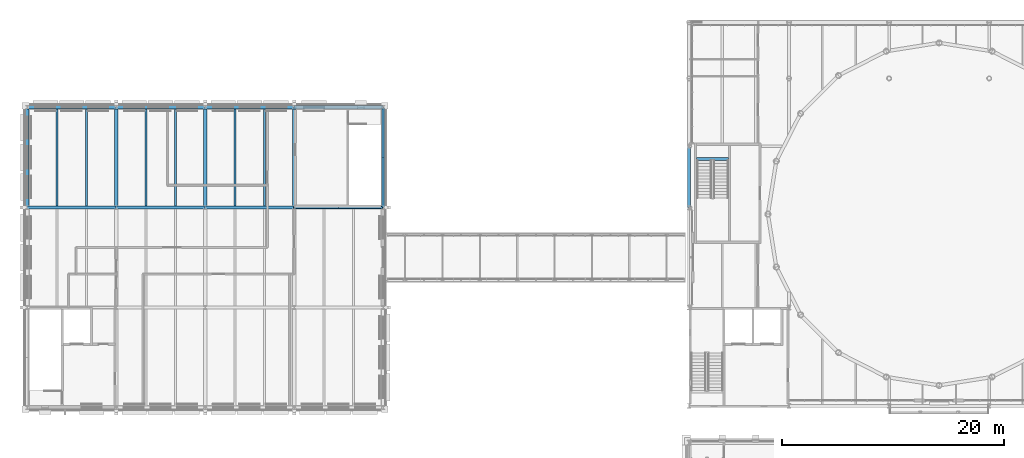
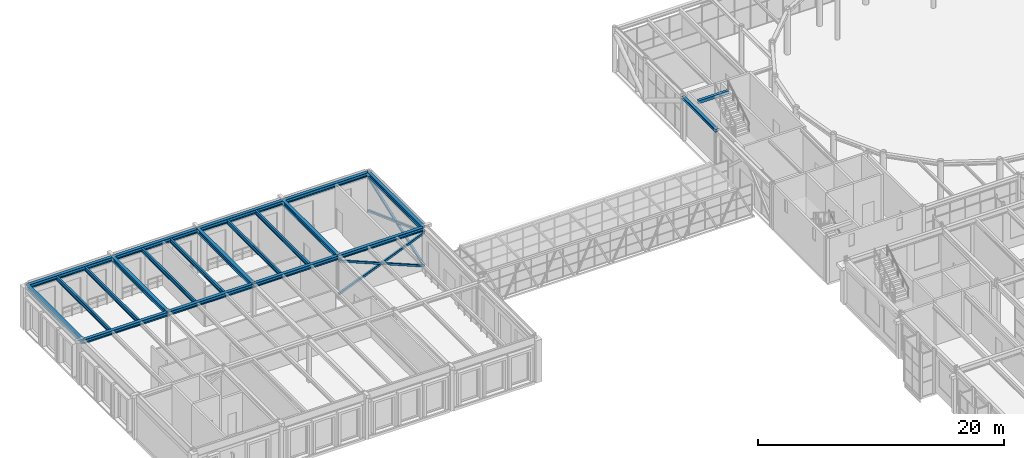
# One storey, part 40 of 149: 21 beams, 4 members.
"""IFC4 building model written with IfcOpenShell, lengths in metres."""

from ifc_helpers import new_model, si_unit, direction, frame, origin, origin_2d, place, context, subcontext, project, spatial, rectangle, hollow_rectangle, i_section, extrude, material, material_profile, profile_set, type_object, element, save


model = new_model("IFC4")

# Units and contexts
model_context = context("Model", 3, precision=1e-05, world=origin(), true_north=direction((0.0, 1.0)))
body_context = subcontext(model_context, "Body", "Model", "MODEL_VIEW")
ifc_project = project(units=[si_unit("LENGTHUNIT", "METRE"), si_unit("AREAUNIT", "SQUARE_METRE"), si_unit("VOLUMEUNIT", "CUBIC_METRE"), si_unit("PLANEANGLEUNIT", "RADIAN"), si_unit("MASSUNIT", "GRAM", prefix="KILO")], contexts=[model_context])

# Site, building, storey
site_placement = place(None, origin())
site = spatial("IfcSite", under=ifc_project, at=site_placement, CompositionType="ELEMENT")
building_placement = place(site_placement, origin())
building = spatial("IfcBuilding", under=site, at=building_placement, Name="Kallimachos Central Library", CompositionType="ELEMENT")
storey_placement = place(building_placement, frame((0.0, 0.0, 9.89990234375)))
storey = spatial("IfcBuildingStorey", under=building, at=storey_placement, Name="L02", CompositionType="ELEMENT", Elevation=9.89990234375)

# Beams
ifc_material_1 = material(Name="Steel S355J2", Category="steel")
ifc_material_profile_1 = material_profile(ifc_material_1, i_section(OverallWidth=0.280029296875, OverallDepth=0.27001953125, WebThickness=0.008056640625, FlangeThickness=0.012939453125, FilletRadius=0.02392578125, at=origin_2d()), Name="HEA 280")
ifc_profile_set_1 = profile_set([ifc_material_profile_1], Name="Steel S355J2")
beam_type_1 = type_object("IfcBeamType", Name="HEA 280 beam", PredefinedType="BEAM", material=ifc_profile_set_1)
beam_1_placement = place(storey_placement, frame((65.5, 105.0, 4.215087890625), z_axis=(0.0, 1.0, 0.0), x_axis=(-1.0, 0.0, 0.0)))
element("IfcBeam", 1, at=beam_1_placement, inside=storey, type_object=beam_type_1, Name="V1-BEM-L02-022", PredefinedType="BEAM", context=body_context, shape_type="SweptSolid", body=[
    extrude(i_section(OverallWidth=0.280029296875, OverallDepth=0.27001953125, WebThickness=0.008056640625, FlangeThickness=0.012939453125, FilletRadius=0.02392578125, at=origin_2d()), origin(), (0.0, 0.0, 1.0), 5.5),
])
ifc_material_2 = material(Name="Steel S355J2", Category="steel")
ifc_material_profile_2 = material_profile(ifc_material_2, i_section(OverallWidth=0.300048828125, OverallDepth=0.389892578125, WebThickness=0.010986328125, FlangeThickness=0.01904296875, FilletRadius=0.027099609375, at=origin_2d()), Name="HEA 400")
ifc_profile_set_2 = profile_set([ifc_material_profile_2], Name="Steel S355J2")
beam_type_2 = type_object("IfcBeamType", Name="HEA 400 beam", PredefinedType="BEAM", material=ifc_profile_set_2)
for number, where, z_axis, x_axis, name in (
    (2, (6.0, 105.0, 4.155029296875), (1.0, 0.0, 0.0), (0.0, 1.0, 0.0), "V2-BEM-L02-024"),
    (3, (14.0, 105.0, 4.155029296875), (1.0, 0.0, 0.0), (0.0, 1.0, 0.0), "V2-BEM-L02-025"),
    (4, (22.0, 105.0, 4.155029296875), (1.0, 0.0, 0.0), (0.0, 1.0, 0.0), "V2-BEM-L02-026"),
    (5, (30.0, 105.0, 4.155029296875), (1.0, 0.0, 0.0), (0.0, 1.0, 0.0), "V2-BEM-L02-027"),
    (6, (6.0, 114.0, 4.155029296875), (1.0, 0.0, 0.0), (0.0, 1.0, 0.0), "V2-BEM-L02-028"),
    (7, (14.0, 114.0, 4.155029296875), (1.0, 0.0, 0.0), (0.0, 1.0, 0.0), "V2-BEM-L02-029"),
    (8, (22.0, 114.0, 4.155029296875), (1.0, 0.0, 0.0), (0.0, 1.0, 0.0), "V2-BEM-L02-030"),
    (9, (30.0, 114.0, 4.155029296875), (1.0, 0.0, 0.0), (0.0, 1.0, 0.0), "V2-BEM-L02-031"),
):
    element("IfcBeam", number, at=place(storey_placement, frame(where, z_axis=z_axis, x_axis=x_axis)), inside=storey, type_object=beam_type_2, Name=name, PredefinedType="BEAM", context=body_context, shape_type="SweptSolid", body=[
        extrude(i_section(OverallWidth=0.300048828125, OverallDepth=0.389892578125, WebThickness=0.010986328125, FlangeThickness=0.01904296875, FilletRadius=0.027099609375, at=origin_2d()), origin(), (0.0, 0.0, 1.0), 8.0),
    ])
ifc_material_3 = material(Name="Steel S355J2", Category="steel")
ifc_material_profile_3 = material_profile(ifc_material_3, i_section(OverallWidth=0.300048828125, OverallDepth=0.43994140625, WebThickness=0.011474609375, FlangeThickness=0.02099609375, FilletRadius=0.027099609375, at=origin_2d()), Name="HEA 450")
ifc_profile_set_3 = profile_set([ifc_material_profile_3], Name="Steel S355J2")
beam_type_3 = type_object("IfcBeamType", Name="HEA 450 beam", PredefinedType="BEAM", material=ifc_profile_set_3)
for number, where, z_axis, x_axis, name in (
    (10, (6.0, 105.0, 4.130126953125), (0.0, 1.0, 0.0), (-1.0, 0.0, 0.0), "V2-BEM-L02-003"),
    (11, (14.0, 105.0, 4.130126953125), (0.0, 1.0, 0.0), (-1.0, 0.0, 0.0), "V2-BEM-L02-006"),
    (12, (22.0, 105.0, 4.130126953125), (0.0, 1.0, 0.0), (-1.0, 0.0, 0.0), "V2-BEM-L02-009"),
    (13, (30.0, 105.0, 4.130126953125), (0.0, 1.0, 0.0), (-1.0, 0.0, 0.0), "V2-BEM-L02-012"),
    (14, (38.0, 105.0, 4.130126953125), (0.0, 1.0, 0.0), (-1.0, 0.0, 0.0), "V2-BEM-L02-015"),
):
    element("IfcBeam", number, at=place(storey_placement, frame(where, z_axis=z_axis, x_axis=x_axis)), inside=storey, type_object=beam_type_3, Name=name, PredefinedType="BEAM", context=body_context, shape_type="SweptSolid", body=[
        extrude(i_section(OverallWidth=0.300048828125, OverallDepth=0.43994140625, WebThickness=0.011474609375, FlangeThickness=0.02099609375, FilletRadius=0.027099609375, at=origin_2d()), origin(), (0.0, 0.0, 1.0), 9.0),
    ])
ifc_material_4 = material(Name="Steel S355J2", Category="steel")
ifc_material_profile_4 = material_profile(ifc_material_4, i_section(OverallWidth=0.179931640625, OverallDepth=0.39990234375, WebThickness=0.008544921875, FlangeThickness=0.013427734375, FilletRadius=0.02099609375, at=origin_2d()), Name="IPE 400")
ifc_profile_set_4 = profile_set([ifc_material_profile_4], Name="Steel S355J2")
beam_type_4 = type_object("IfcBeamType", Name="IPE 400 beam", PredefinedType="BEAM", material=ifc_profile_set_4)
for number, where, z_axis, x_axis, name in (
    (15, (8.666748046875, 105.14990234375, 4.150146484375), (0.0, 1.0, 0.0), (-1.0, 0.0, 0.0), "V2-BEM-L02-034"),
    (16, (11.333251953125, 105.14990234375, 4.150146484375), (0.0, 1.0, 0.0), (-1.0, 0.0, 0.0), "V2-BEM-L02-035"),
    (17, (16.666748046875, 105.14990234375, 4.150146484375), (0.0, 1.0, 0.0), (-1.0, 0.0, 0.0), "V2-BEM-L02-040"),
    (18, (19.333251953125, 105.14990234375, 4.150146484375), (0.0, 1.0, 0.0), (-1.0, 0.0, 0.0), "V2-BEM-L02-041"),
    (19, (24.666748046875, 105.14990234375, 4.150146484375), (0.0, 1.0, 0.0), (-1.0, 0.0, 0.0), "V2-BEM-L02-046"),
    (20, (27.333251953125, 105.14990234375, 4.150146484375), (0.0, 1.0, 0.0), (-1.0, 0.0, 0.0), "V2-BEM-L02-047"),
):
    element("IfcBeam", number, at=place(storey_placement, frame(where, z_axis=z_axis, x_axis=x_axis)), inside=storey, type_object=beam_type_4, Name=name, PredefinedType="BEAM", context=body_context, shape_type="SweptSolid", body=[
        extrude(i_section(OverallWidth=0.179931640625, OverallDepth=0.39990234375, WebThickness=0.008544921875, FlangeThickness=0.013427734375, FilletRadius=0.02099609375, at=origin_2d()), origin(), (0.0, 0.0, 1.0), 8.7001953125),
    ])
ifc_material_5 = material(Name="Concrete C30/37", Category="concrete")
ifc_material_profile_5 = material_profile(ifc_material_5, rectangle(XDim=0.260009765625, YDim=0.300048828125, at=origin_2d()), Name="RC stair trimmer beam 260 x 300")
ifc_profile_set_5 = profile_set([ifc_material_profile_5], Name="Concrete C30/37")
beam_type_5 = type_object("IfcBeamType", Name="RC stair trimmer beam 260 x 300", PredefinedType="BEAM", material=ifc_profile_set_5)
beam_2_placement = place(storey_placement, frame((66.199951171875, 109.35107421875, 4.2001953125), z_axis=(1.0, 0.0, 0.0), x_axis=(0.0, 1.0, 0.0)))
element("IfcBeam", 21, at=beam_2_placement, inside=storey, type_object=beam_type_5, Name="Stair trimmer beam ST3 L02", PredefinedType="BEAM", context=body_context, shape_type="SweptSolid", body=[
    extrude(rectangle(XDim=0.260009765625, YDim=0.300048828125, at=origin_2d()), origin(), (0.0, 0.0, 1.0), 2.85009765625),
])

# Members
ifc_material_6 = material(Name="Steel S355J2H", Category="steel")
ifc_material_profile_6 = material_profile(ifc_material_6, hollow_rectangle(XDim=0.199951171875, YDim=0.199951171875, WallThickness=0.010009765625, InnerFilletRadius=0.010009765625, OuterFilletRadius=0.014892578125, at=origin_2d()), Name="SHS 200x200x10")
ifc_profile_set_6 = profile_set([ifc_material_profile_6], Name="Steel S355J2H")
member_type = type_object("IfcMemberType", Name="SHS 200x200x10 brace", PredefinedType="BRACE", material=ifc_profile_set_6)
for number, where, z_axis, x_axis, name in (
    (22, (38.0, 105.0, 0.4501953125), (0.0, 0.938882901191, 0.344236688707), (-1.0, 0.0, 0.0), "V2-MEM-L02-005"),
    (23, (38.0, 105.0, 3.75), (0.0, 0.938882901191, -0.344236688707), (-1.0, 0.0, 0.0), "V2-MEM-L02-006"),
):
    element("IfcMember", number, at=place(storey_placement, frame(where, z_axis=z_axis, x_axis=x_axis)), inside=storey, type_object=member_type, Name=name, PredefinedType="BRACE", context=body_context, shape_type="SweptSolid", body=[
        extrude(hollow_rectangle(XDim=0.199951171875, YDim=0.199951171875, WallThickness=0.010009765625, InnerFilletRadius=0.010009765625, OuterFilletRadius=0.014892578125, at=origin_2d()), origin(), (0.0, 0.0, 1.0), 9.5859375),
    ])
for number, where, z_axis, x_axis, name in (
    (24, (30.0, 105.0, 0.4501953125), (0.924446557028, 0.0, 0.381311635278), (0.0, 1.0, 0.0), "V2-MEM-L02-007"),
    (25, (30.0, 105.0, 3.75), (0.924446557028, 0.0, -0.381311635278), (0.0, 1.0, 0.0), "V2-MEM-L02-008"),
):
    element("IfcMember", number, at=place(storey_placement, frame(where, z_axis=z_axis, x_axis=x_axis)), inside=storey, type_object=member_type, Name=name, PredefinedType="BRACE", context=body_context, shape_type="SweptSolid", body=[
        extrude(hollow_rectangle(XDim=0.199951171875, YDim=0.199951171875, WallThickness=0.010009765625, InnerFilletRadius=0.010009765625, OuterFilletRadius=0.014892578125, at=origin_2d()), origin(), (0.0, 0.0, 1.0), 8.65380859375),
    ])

save(model, "model.ifc")
